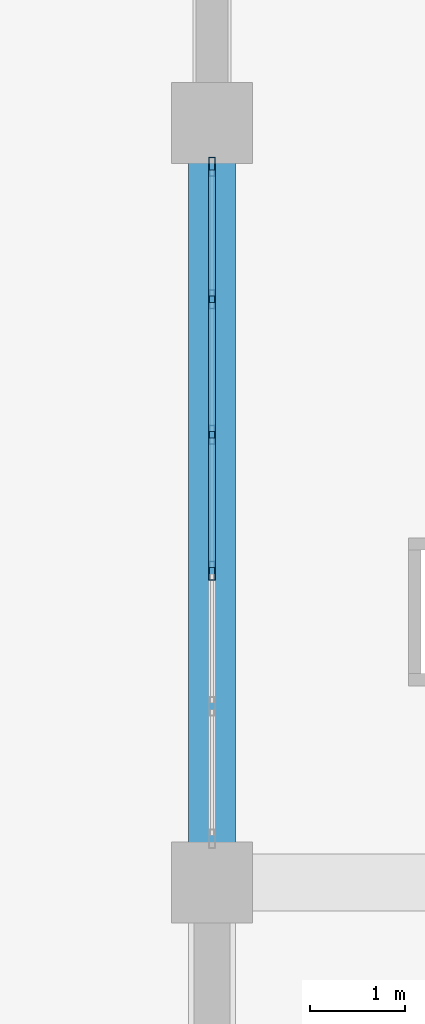
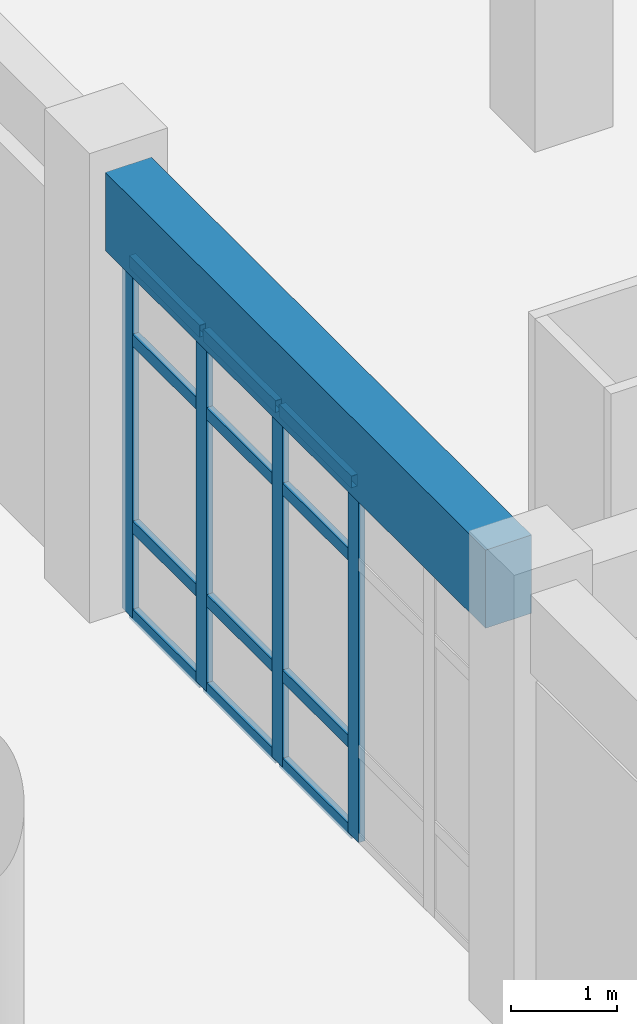
# One storey, part 5 of 84: 16 members, 1 beam, 1 element without a shape of its own.
"""IFC4 building model written with IfcOpenShell, lengths in metres."""

from ifc_helpers import new_model, si_unit, direction, frame, origin, origin_2d, place, context, subcontext, project, spatial, rectangle, hollow_rectangle, extrude, material, layer, layer_set, material_profile, profile_set, type_object, element, aggregate, save


model = new_model("IFC4")

# Units and contexts
model_context = context("Model", 3, precision=1e-05, world=origin(), true_north=direction((0.0, 1.0)))
body_context = subcontext(model_context, "Body", "Model", "MODEL_VIEW")
ifc_project = project(units=[si_unit("LENGTHUNIT", "METRE"), si_unit("AREAUNIT", "SQUARE_METRE"), si_unit("VOLUMEUNIT", "CUBIC_METRE"), si_unit("PLANEANGLEUNIT", "RADIAN"), si_unit("MASSUNIT", "GRAM", prefix="KILO")], contexts=[model_context])

# Site, building, storey
site_placement = place(None, origin())
site = spatial("IfcSite", under=ifc_project, at=site_placement, CompositionType="ELEMENT")
building_placement = place(site_placement, origin())
building = spatial("IfcBuilding", under=site, at=building_placement, Name="Muzn Square Opera House", CompositionType="ELEMENT")
storey_placement = place(building_placement, origin())
storey = spatial("IfcBuildingStorey", under=building, at=storey_placement, Name="L00", CompositionType="ELEMENT", Elevation=0.0)

# Curtain wall, members
ifc_material_1 = material(Name="Low-E laminated acoustic double glazing", Category="glass")
ifc_layer = layer(ifc_material_1, 0.159912109375, Name="Low-E laminated acoustic double glazing", Category="glass")
ifc_layer_set = layer_set([ifc_layer], Name="Low-E laminated acoustic double glazing")
curtain_wall_type = type_object("IfcCurtainWallType", Name="Glazed Curtain Wall WestBlvd 7150x4100", PredefinedType="USERDEFINED", material=ifc_layer_set)
curtain_wall_placement = place(storey_placement, origin())
curtain_wall = element("IfcCurtainWall", 1, at=curtain_wall_placement, inside=storey, type_object=curtain_wall_type, Name="Glazed Curtain Wall CW-L00-134", ObjectType="GLAZED CURTAIN WALL", PredefinedType="USERDEFINED")
ifc_material_2 = material(Name="Anodised bronze aluminium 6063-T6", Category="metal")
ifc_material_profile_1 = material_profile(ifc_material_2, hollow_rectangle(XDim=0.070068359375, YDim=0.199951171875, WallThickness=0.0048828125, at=origin_2d()), Name="ALU 200x70x5", Category="metal")
ifc_profile_set_1 = profile_set([ifc_material_profile_1], Name="Anodised bronze aluminium 6063-T6")
member_type_1 = type_object("IfcMemberType", Name="Curtain Wall Mullion 200x70", PredefinedType="MULLION", material=ifc_profile_set_1)
member_1_placement = place(storey_placement, frame((6.0, 17.284912109375, 0.0), z_axis=(0.0, 0.0, 1.0), x_axis=(-1.0, 0.0, 0.0)))
member_1 = element("IfcMember", 2, at=member_1_placement, type_object=member_type_1, Name="CW-WBL-71x41 mullion 3", PredefinedType="MULLION", context=body_context, shape_type="SweptSolid", body=[
    extrude(hollow_rectangle(XDim=0.070068359375, YDim=0.199951171875, WallThickness=0.0048828125, at=origin_2d()), origin(), (0.0, 0.0, 1.0), 4.10009765625),
])
member_2_placement = place(storey_placement, frame((6.0, 18.715087890625, 0.0), z_axis=(0.0, 0.0, 1.0), x_axis=(-1.0, 0.0, 0.0)))
member_2 = element("IfcMember", 3, at=member_2_placement, type_object=member_type_1, Name="CW-WBL-71x41 mullion 4", PredefinedType="MULLION", context=body_context, shape_type="SweptSolid", body=[
    extrude(hollow_rectangle(XDim=0.070068359375, YDim=0.199951171875, WallThickness=0.0048828125, at=origin_2d()), origin(), (0.0, 0.0, 1.0), 4.10009765625),
])
member_3_placement = place(storey_placement, frame((6.0, 20.14501953125, 0.0), z_axis=(0.0, 0.0, 1.0), x_axis=(-1.0, 0.0, 0.0)))
member_3 = element("IfcMember", 4, at=member_3_placement, type_object=member_type_1, Name="CW-WBL-71x41 mullion 5", PredefinedType="MULLION", context=body_context, shape_type="SweptSolid", body=[
    extrude(hollow_rectangle(XDim=0.070068359375, YDim=0.199951171875, WallThickness=0.0048828125, at=origin_2d()), origin(), (0.0, 0.0, 1.0), 4.10009765625),
])
member_4_placement = place(storey_placement, frame((6.0, 21.5400390625, 0.0), z_axis=(0.0, 0.0, 1.0), x_axis=(-1.0, 0.0, 0.0)))
member_4 = element("IfcMember", 5, at=member_4_placement, type_object=member_type_1, Name="CW-WBL-71x41 mullion 6", PredefinedType="MULLION", context=body_context, shape_type="SweptSolid", body=[
    extrude(hollow_rectangle(XDim=0.070068359375, YDim=0.199951171875, WallThickness=0.0048828125, at=origin_2d()), origin(), (0.0, 0.0, 1.0), 4.10009765625),
])
ifc_material_profile_2 = material_profile(ifc_material_2, hollow_rectangle(XDim=0.070068359375, YDim=0.139892578125, WallThickness=0.00390625, at=origin_2d()), Name="ALU 140x70x4", Category="metal")
ifc_profile_set_2 = profile_set([ifc_material_profile_2], Name="Anodised bronze aluminium 6063-T6")
member_type_2 = type_object("IfcMemberType", Name="Curtain Wall Transom 140x70", PredefinedType="USERDEFINED", material=ifc_profile_set_2)
member_5_placement = place(storey_placement, frame((6.0, 17.320068359375, 0.034912109375), z_axis=(0.0, 1.0, 0.0), x_axis=(-1.0, 0.0, 0.0)))
member_5 = element("IfcMember", 6, at=member_5_placement, type_object=member_type_2, Name="CW-WBL-71x41 transom 3.1", ObjectType="TRANSOM", PredefinedType="USERDEFINED", context=body_context, shape_type="SweptSolid", body=[
    extrude(hollow_rectangle(XDim=0.070068359375, YDim=0.139892578125, WallThickness=0.00390625, at=origin_2d()), origin(), (0.0, 0.0, 1.0), 1.35986328125),
])
member_6_placement = place(storey_placement, frame((6.0, 17.320068359375, 1.050048828125), z_axis=(0.0, 1.0, 0.0), x_axis=(-1.0, 0.0, 0.0)))
member_6 = element("IfcMember", 7, at=member_6_placement, type_object=member_type_2, Name="CW-WBL-71x41 transom 3.2", ObjectType="TRANSOM", PredefinedType="USERDEFINED", context=body_context, shape_type="SweptSolid", body=[
    extrude(hollow_rectangle(XDim=0.070068359375, YDim=0.139892578125, WallThickness=0.00390625, at=origin_2d()), origin(), (0.0, 0.0, 1.0), 1.35986328125),
])
member_7_placement = place(storey_placement, frame((6.0, 17.320068359375, 3.199951171875), z_axis=(0.0, 1.0, 0.0), x_axis=(-1.0, 0.0, 0.0)))
member_7 = element("IfcMember", 8, at=member_7_placement, type_object=member_type_2, Name="CW-WBL-71x41 transom 3.3", ObjectType="TRANSOM", PredefinedType="USERDEFINED", context=body_context, shape_type="SweptSolid", body=[
    extrude(hollow_rectangle(XDim=0.070068359375, YDim=0.139892578125, WallThickness=0.00390625, at=origin_2d()), origin(), (0.0, 0.0, 1.0), 1.35986328125),
])
member_8_placement = place(storey_placement, frame((6.0, 17.320068359375, 4.06494140625), z_axis=(0.0, 1.0, 0.0), x_axis=(-1.0, 0.0, 0.0)))
member_8 = element("IfcMember", 9, at=member_8_placement, type_object=member_type_2, Name="CW-WBL-71x41 transom 3.4", ObjectType="TRANSOM", PredefinedType="USERDEFINED", context=body_context, shape_type="SweptSolid", body=[
    extrude(hollow_rectangle(XDim=0.070068359375, YDim=0.139892578125, WallThickness=0.00390625, at=origin_2d()), origin(), (0.0, 0.0, 1.0), 1.35986328125),
])
member_9_placement = place(storey_placement, frame((6.0, 18.75, 0.034912109375), z_axis=(0.0, 1.0, 0.0), x_axis=(-1.0, 0.0, 0.0)))
member_9 = element("IfcMember", 10, at=member_9_placement, type_object=member_type_2, Name="CW-WBL-71x41 transom 4.1", ObjectType="TRANSOM", PredefinedType="USERDEFINED", context=body_context, shape_type="SweptSolid", body=[
    extrude(hollow_rectangle(XDim=0.070068359375, YDim=0.139892578125, WallThickness=0.00390625, at=origin_2d()), origin(), (0.0, 0.0, 1.0), 1.360107421875),
])
member_10_placement = place(storey_placement, frame((6.0, 18.75, 1.050048828125), z_axis=(0.0, 1.0, 0.0), x_axis=(-1.0, 0.0, 0.0)))
member_10 = element("IfcMember", 11, at=member_10_placement, type_object=member_type_2, Name="CW-WBL-71x41 transom 4.2", ObjectType="TRANSOM", PredefinedType="USERDEFINED", context=body_context, shape_type="SweptSolid", body=[
    extrude(hollow_rectangle(XDim=0.070068359375, YDim=0.139892578125, WallThickness=0.00390625, at=origin_2d()), origin(), (0.0, 0.0, 1.0), 1.360107421875),
])
member_11_placement = place(storey_placement, frame((6.0, 18.75, 3.199951171875), z_axis=(0.0, 1.0, 0.0), x_axis=(-1.0, 0.0, 0.0)))
member_11 = element("IfcMember", 12, at=member_11_placement, type_object=member_type_2, Name="CW-WBL-71x41 transom 4.3", ObjectType="TRANSOM", PredefinedType="USERDEFINED", context=body_context, shape_type="SweptSolid", body=[
    extrude(hollow_rectangle(XDim=0.070068359375, YDim=0.139892578125, WallThickness=0.00390625, at=origin_2d()), origin(), (0.0, 0.0, 1.0), 1.360107421875),
])
member_12_placement = place(storey_placement, frame((6.0, 18.75, 4.06494140625), z_axis=(0.0, 1.0, 0.0), x_axis=(-1.0, 0.0, 0.0)))
member_12 = element("IfcMember", 13, at=member_12_placement, type_object=member_type_2, Name="CW-WBL-71x41 transom 4.4", ObjectType="TRANSOM", PredefinedType="USERDEFINED", context=body_context, shape_type="SweptSolid", body=[
    extrude(hollow_rectangle(XDim=0.070068359375, YDim=0.139892578125, WallThickness=0.00390625, at=origin_2d()), origin(), (0.0, 0.0, 1.0), 1.360107421875),
])
member_13_placement = place(storey_placement, frame((6.0, 20.179931640625, 0.034912109375), z_axis=(0.0, 1.0, 0.0), x_axis=(-1.0, 0.0, 0.0)))
member_13 = element("IfcMember", 14, at=member_13_placement, type_object=member_type_2, Name="CW-WBL-71x41 transom 5.1", ObjectType="TRANSOM", PredefinedType="USERDEFINED", context=body_context, shape_type="SweptSolid", body=[
    extrude(hollow_rectangle(XDim=0.070068359375, YDim=0.139892578125, WallThickness=0.00390625, at=origin_2d()), origin(), (0.0, 0.0, 1.0), 1.324951171875),
])
member_14_placement = place(storey_placement, frame((6.0, 20.179931640625, 1.050048828125), z_axis=(0.0, 1.0, 0.0), x_axis=(-1.0, 0.0, 0.0)))
member_14 = element("IfcMember", 15, at=member_14_placement, type_object=member_type_2, Name="CW-WBL-71x41 transom 5.2", ObjectType="TRANSOM", PredefinedType="USERDEFINED", context=body_context, shape_type="SweptSolid", body=[
    extrude(hollow_rectangle(XDim=0.070068359375, YDim=0.139892578125, WallThickness=0.00390625, at=origin_2d()), origin(), (0.0, 0.0, 1.0), 1.324951171875),
])
member_15_placement = place(storey_placement, frame((6.0, 20.179931640625, 3.199951171875), z_axis=(0.0, 1.0, 0.0), x_axis=(-1.0, 0.0, 0.0)))
member_15 = element("IfcMember", 16, at=member_15_placement, type_object=member_type_2, Name="CW-WBL-71x41 transom 5.3", ObjectType="TRANSOM", PredefinedType="USERDEFINED", context=body_context, shape_type="SweptSolid", body=[
    extrude(hollow_rectangle(XDim=0.070068359375, YDim=0.139892578125, WallThickness=0.00390625, at=origin_2d()), origin(), (0.0, 0.0, 1.0), 1.324951171875),
])
member_16_placement = place(storey_placement, frame((6.0, 20.179931640625, 4.06494140625), z_axis=(0.0, 1.0, 0.0), x_axis=(-1.0, 0.0, 0.0)))
member_16 = element("IfcMember", 17, at=member_16_placement, type_object=member_type_2, Name="CW-WBL-71x41 transom 5.4", ObjectType="TRANSOM", PredefinedType="USERDEFINED", context=body_context, shape_type="SweptSolid", body=[
    extrude(hollow_rectangle(XDim=0.070068359375, YDim=0.139892578125, WallThickness=0.00390625, at=origin_2d()), origin(), (0.0, 0.0, 1.0), 1.324951171875),
])
aggregate(curtain_wall, [member_1, member_2, member_3, member_4, member_5, member_6, member_7, member_8, member_9, member_10, member_11, member_12, member_13, member_14, member_15, member_16])

# Beam
ifc_material_3 = material(Name="Concrete C40/50", Category="concrete")
ifc_material_profile_3 = material_profile(ifc_material_3, rectangle(XDim=0.5, YDim=0.89990234375, at=origin_2d()), Name="RCB 500x900", Category="concrete")
ifc_profile_set_3 = profile_set([ifc_material_profile_3], Name="Concrete C40/50")
beam_type = type_object("IfcBeamType", Name="Primary Girder 500x900", PredefinedType="BEAM", material=ifc_profile_set_3)
beam_placement = place(storey_placement, frame((6.0, 14.4169921875, 4.669921875), z_axis=(0.0, 1.0, 0.0), x_axis=(-1.0, 0.0, 0.0)))
element("IfcBeam", 18, at=beam_placement, inside=storey, type_object=beam_type, Name="Primary Girder BM-L00-BM-PG900-60_144_60_216-955", PredefinedType="BEAM", context=body_context, shape_type="SweptSolid", body=[
    extrude(rectangle(XDim=0.5, YDim=0.89990234375, at=origin_2d()), origin(), (0.0, 0.0, 1.0), 7.166015625),
])

save(model, "model.ifc")
